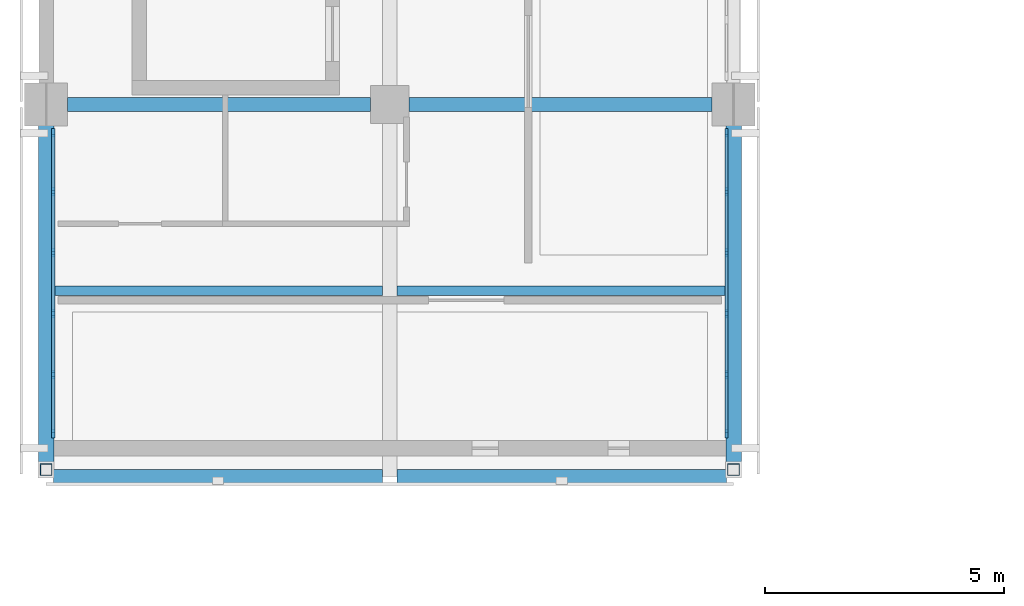
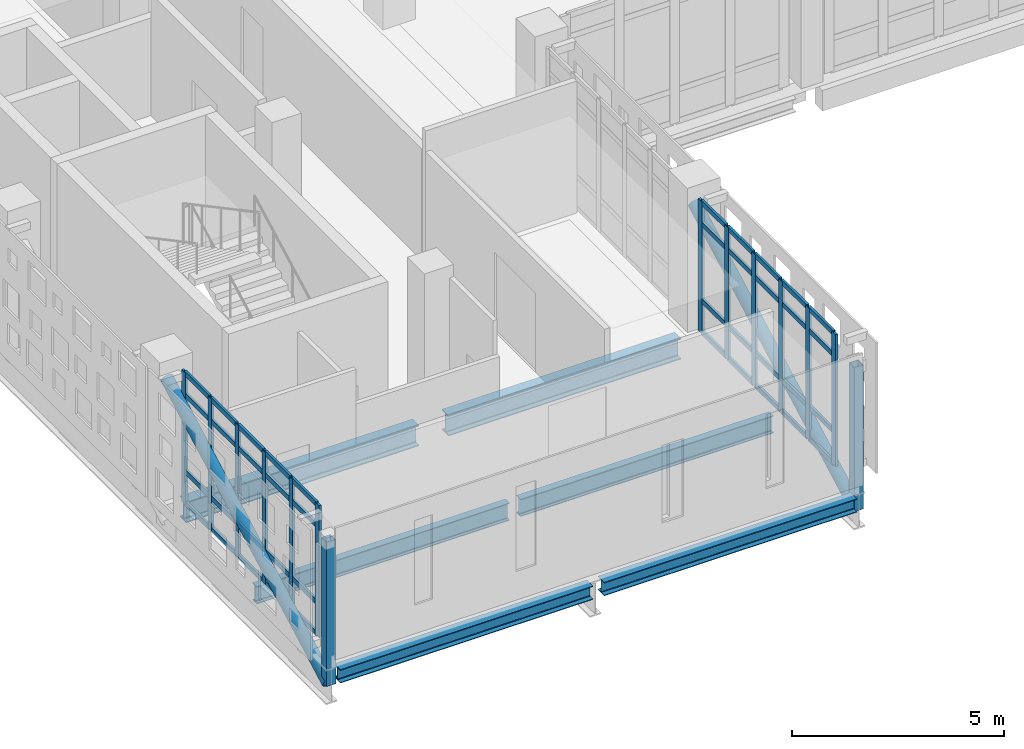
# One storey, part 7 of 62: 56 members, 6 beams, 2 elements without a shape of their own.
"""IFC4 building model written with IfcOpenShell, lengths in metres."""

from ifc_helpers import new_model, si_unit, direction, frame, origin, origin_2d, place, context, subcontext, project, spatial, rectangle, hollow_rectangle, hollow_circle, i_section, extrude, material, layer, layer_set, material_profile, profile_set, type_object, element, aggregate, save


model = new_model("IFC4")

# Units and contexts
model_context = context("Model", 3, precision=1e-05, world=origin(), true_north=direction((0.0, 1.0)))
body_context = subcontext(model_context, "Body", "Model", "MODEL_VIEW")
ifc_project = project(units=[si_unit("LENGTHUNIT", "METRE"), si_unit("AREAUNIT", "SQUARE_METRE"), si_unit("VOLUMEUNIT", "CUBIC_METRE"), si_unit("PLANEANGLEUNIT", "RADIAN"), si_unit("MASSUNIT", "GRAM", prefix="KILO")], contexts=[model_context])

# Site, building, storey
site_placement = place(None, origin())
site = spatial("IfcSite", under=ifc_project, at=site_placement, CompositionType="ELEMENT")
building_placement = place(site_placement, origin())
building = spatial("IfcBuilding", under=site, at=building_placement, Name="Valkovuoma Quantum and Materials Research Institute", CompositionType="ELEMENT")
storey_placement = place(building_placement, frame((0.0, 0.0, 13.1201171875)))
storey = spatial("IfcBuildingStorey", under=building, at=storey_placement, Name="L03", CompositionType="ELEMENT", Elevation=13.1201171875)

# Beams
ifc_material_1 = material(Name="Steel S355J2", Category="steel")
ifc_material_profile_1 = material_profile(ifc_material_1, i_section(OverallWidth=0.300048828125, OverallDepth=0.389892578125, WebThickness=0.010986328125, FlangeThickness=0.01904296875, FilletRadius=0.027099609375, at=origin_2d()), Name="Steel S355J2")
ifc_profile_set_1 = profile_set([ifc_material_profile_1], Name="Steel S355J2")
beam_type_1 = type_object("IfcBeamType", Name="Beam-B-HEA400", PredefinedType="SPANDREL", material=ifc_profile_set_1)
beam_1_placement = place(storey_placement, frame((0.14990234375, 21.0, -0.545166015625), z_axis=(1.0, 0.0, 0.0), x_axis=(0.0, 1.0, 0.0)))
element("IfcBeam", 1, at=beam_1_placement, inside=storey, type_object=beam_type_1, Name="L03 cantilever tip beam 1", PredefinedType="SPANDREL", context=body_context, shape_type="SweptSolid", body=[
    extrude(i_section(OverallWidth=0.300048828125, OverallDepth=0.389892578125, WebThickness=0.010986328125, FlangeThickness=0.01904296875, FilletRadius=0.027099609375, at=origin_2d()), origin(), (0.0, 0.0, 1.0), 6.900146484375),
])
beam_2_placement = place(storey_placement, frame((7.35009765625, 21.0, -0.545166015625), z_axis=(1.0, 0.0, 0.0), x_axis=(0.0, 1.0, 0.0)))
element("IfcBeam", 2, at=beam_2_placement, inside=storey, type_object=beam_type_1, Name="L03 cantilever tip beam 2", PredefinedType="SPANDREL", context=body_context, shape_type="SweptSolid", body=[
    extrude(i_section(OverallWidth=0.300048828125, OverallDepth=0.389892578125, WebThickness=0.010986328125, FlangeThickness=0.01904296875, FilletRadius=0.027099609375, at=origin_2d()), origin(), (0.0, 0.0, 1.0), 6.89990234375),
])
ifc_material_2 = material(Name="Steel S355J2", Category="steel")
ifc_material_profile_2 = material_profile(ifc_material_2, i_section(OverallWidth=0.300048828125, OverallDepth=0.60009765625, WebThickness=0.015380859375, FlangeThickness=0.030029296875, FilletRadius=0.027099609375, at=origin_2d()), Name="Steel S355J2")
ifc_profile_set_2 = profile_set([ifc_material_profile_2], Name="Steel S355J2")
beam_type_2 = type_object("IfcBeamType", Name="Beam-B-HEB600", PredefinedType="BEAM", material=ifc_profile_set_2)
beam_3_placement = place(storey_placement, frame((0.449951171875, 28.800048828125, -0.650146484375), z_axis=(1.0, 0.0, 0.0), x_axis=(0.0, 1.0, 0.0)))
element("IfcBeam", 3, at=beam_3_placement, inside=storey, type_object=beam_type_2, Name="L03 beam X-1424", PredefinedType="BEAM", context=body_context, shape_type="SweptSolid", body=[
    extrude(i_section(OverallWidth=0.300048828125, OverallDepth=0.60009765625, WebThickness=0.015380859375, FlangeThickness=0.030029296875, FilletRadius=0.027099609375, at=origin_2d()), origin(), (0.0, 0.0, 1.0), 6.35009765625),
])
beam_4_placement = place(storey_placement, frame((7.60009765625, 28.800048828125, -0.650146484375), z_axis=(1.0, 0.0, 0.0), x_axis=(0.0, 1.0, 0.0)))
element("IfcBeam", 4, at=beam_4_placement, inside=storey, type_object=beam_type_2, Name="L03 beam X-1425", PredefinedType="BEAM", context=body_context, shape_type="SweptSolid", body=[
    extrude(i_section(OverallWidth=0.300048828125, OverallDepth=0.60009765625, WebThickness=0.015380859375, FlangeThickness=0.030029296875, FilletRadius=0.027099609375, at=origin_2d()), origin(), (0.0, 0.0, 1.0), 6.349853515625),
])
ifc_material_3 = material(Name="Steel S355J2", Category="steel")
ifc_material_profile_3 = material_profile(ifc_material_3, i_section(OverallWidth=0.199951171875, OverallDepth=0.5, WebThickness=0.01025390625, FlangeThickness=0.01611328125, FilletRadius=0.02099609375, at=origin_2d()), Name="Steel S355J2")
ifc_profile_set_3 = profile_set([ifc_material_profile_3], Name="Steel S355J2")
beam_type_3 = type_object("IfcBeamType", Name="Beam-B-IPE500", PredefinedType="BEAM", material=ifc_profile_set_3)
beam_5_placement = place(storey_placement, frame((0.14990234375, 24.89990234375, -0.60009765625), z_axis=(1.0, 0.0, 0.0), x_axis=(0.0, 1.0, 0.0)))
element("IfcBeam", 5, at=beam_5_placement, inside=storey, type_object=beam_type_3, Name="L03 cantilever mid beam 1", PredefinedType="BEAM", context=body_context, shape_type="SweptSolid", body=[
    extrude(i_section(OverallWidth=0.199951171875, OverallDepth=0.5, WebThickness=0.01025390625, FlangeThickness=0.01611328125, FilletRadius=0.02099609375, at=origin_2d()), origin(), (0.0, 0.0, 1.0), 6.900146484375),
])
beam_6_placement = place(storey_placement, frame((7.35009765625, 24.89990234375, -0.60009765625), z_axis=(1.0, 0.0, 0.0), x_axis=(0.0, 1.0, 0.0)))
element("IfcBeam", 6, at=beam_6_placement, inside=storey, type_object=beam_type_3, Name="L03 cantilever mid beam 2", PredefinedType="BEAM", context=body_context, shape_type="SweptSolid", body=[
    extrude(i_section(OverallWidth=0.199951171875, OverallDepth=0.5, WebThickness=0.01025390625, FlangeThickness=0.01611328125, FilletRadius=0.02099609375, at=origin_2d()), origin(), (0.0, 0.0, 1.0), 6.89990234375),
])

# Curtain wall, members
ifc_material_4 = material(Name="Thermally broken aluminium and triple low-E glazing", Category="aluminium")
ifc_layer = layer(ifc_material_4, 0.219970703125)
ifc_layer_set = layer_set([ifc_layer], Name="Thermally broken aluminium and triple low-E glazing")
curtain_wall_type = type_object("IfcCurtainWallType", Name="CW-CW-01", PredefinedType="NOTDEFINED", material=ifc_layer_set)
curtain_wall_1_placement = place(storey_placement, origin())
curtain_wall_1 = element("IfcCurtainWall", 7, at=curtain_wall_1_placement, inside=storey, type_object=curtain_wall_type, Name="L03 curtain wall 028", PredefinedType="NOTDEFINED")
ifc_material_5 = material(Name="Anodised aluminium 6060-T66", Category="aluminium")
ifc_material_profile_4 = material_profile(ifc_material_5, rectangle(XDim=0.06494140625, YDim=0.179931640625, at=origin_2d()), Name="Anodised aluminium 6060-T66")
ifc_profile_set_4 = profile_set([ifc_material_profile_4], Name="Anodised aluminium 6060-T66")
member_type_1 = type_object("IfcMemberType", Name="CWMull-CWM-01", PredefinedType="MULLION", material=ifc_profile_set_4)
member_1_placement = place(storey_placement, frame((0.14990234375, 21.900390625, 0.0), z_axis=(0.0, 0.0, 1.0), x_axis=(-1.0, 0.0, 0.0)))
member_1 = element("IfcMember", 8, at=member_1_placement, type_object=member_type_1, Name="CW-01 mullion 1", PredefinedType="MULLION", context=body_context, shape_type="SweptSolid", body=[
    extrude(rectangle(XDim=0.06494140625, YDim=0.179931640625, at=origin_2d()), origin(), (0.0, 0.0, 1.0), 3.809814453125),
])
member_2_placement = place(storey_placement, frame((0.14990234375, 23.142822265625, 0.0), z_axis=(0.0, 0.0, 1.0), x_axis=(-1.0, 0.0, 0.0)))
member_2 = element("IfcMember", 9, at=member_2_placement, type_object=member_type_1, Name="CW-01 mullion 2", PredefinedType="MULLION", context=body_context, shape_type="SweptSolid", body=[
    extrude(rectangle(XDim=0.06494140625, YDim=0.179931640625, at=origin_2d()), origin(), (0.0, 0.0, 1.0), 3.809814453125),
])
member_3_placement = place(storey_placement, frame((0.14990234375, 24.41796875, 0.0), z_axis=(0.0, 0.0, 1.0), x_axis=(-1.0, 0.0, 0.0)))
member_3 = element("IfcMember", 10, at=member_3_placement, type_object=member_type_1, Name="CW-01 mullion 3", PredefinedType="MULLION", context=body_context, shape_type="SweptSolid", body=[
    extrude(rectangle(XDim=0.06494140625, YDim=0.179931640625, at=origin_2d()), origin(), (0.0, 0.0, 1.0), 3.809814453125),
])
member_4_placement = place(storey_placement, frame((0.14990234375, 25.69287109375, 0.0), z_axis=(0.0, 0.0, 1.0), x_axis=(-1.0, 0.0, 0.0)))
member_4 = element("IfcMember", 11, at=member_4_placement, type_object=member_type_1, Name="CW-01 mullion 4", PredefinedType="MULLION", context=body_context, shape_type="SweptSolid", body=[
    extrude(rectangle(XDim=0.06494140625, YDim=0.179931640625, at=origin_2d()), origin(), (0.0, 0.0, 1.0), 3.809814453125),
])
member_5_placement = place(storey_placement, frame((0.14990234375, 26.968017578125, 0.0), z_axis=(0.0, 0.0, 1.0), x_axis=(-1.0, 0.0, 0.0)))
member_5 = element("IfcMember", 12, at=member_5_placement, type_object=member_type_1, Name="CW-01 mullion 5", PredefinedType="MULLION", context=body_context, shape_type="SweptSolid", body=[
    extrude(rectangle(XDim=0.06494140625, YDim=0.179931640625, at=origin_2d()), origin(), (0.0, 0.0, 1.0), 3.809814453125),
])
member_6_placement = place(storey_placement, frame((0.14990234375, 28.21044921875, 0.0), z_axis=(0.0, 0.0, 1.0), x_axis=(-1.0, 0.0, 0.0)))
member_6 = element("IfcMember", 13, at=member_6_placement, type_object=member_type_1, Name="CW-01 mullion 6", PredefinedType="MULLION", context=body_context, shape_type="SweptSolid", body=[
    extrude(rectangle(XDim=0.06494140625, YDim=0.179931640625, at=origin_2d()), origin(), (0.0, 0.0, 1.0), 3.809814453125),
])

curtain_wall_2_placement = place(storey_placement, origin())
curtain_wall_2 = element("IfcCurtainWall", 14, at=curtain_wall_2_placement, inside=storey, type_object=curtain_wall_type, Name="L03 curtain wall 029", PredefinedType="NOTDEFINED")
member_7_placement = place(storey_placement, frame((14.25, 21.900390625, 0.0), z_axis=(0.0, 0.0, 1.0), x_axis=(-1.0, 0.0, 0.0)))
member_7 = element("IfcMember", 15, at=member_7_placement, type_object=member_type_1, Name="CW-01 mullion 1", PredefinedType="MULLION", context=body_context, shape_type="SweptSolid", body=[
    extrude(rectangle(XDim=0.06494140625, YDim=0.179931640625, at=origin_2d()), origin(), (0.0, 0.0, 1.0), 3.809814453125),
])
member_8_placement = place(storey_placement, frame((14.25, 23.142822265625, 0.0), z_axis=(0.0, 0.0, 1.0), x_axis=(-1.0, 0.0, 0.0)))
member_8 = element("IfcMember", 16, at=member_8_placement, type_object=member_type_1, Name="CW-01 mullion 2", PredefinedType="MULLION", context=body_context, shape_type="SweptSolid", body=[
    extrude(rectangle(XDim=0.06494140625, YDim=0.179931640625, at=origin_2d()), origin(), (0.0, 0.0, 1.0), 3.809814453125),
])
member_9_placement = place(storey_placement, frame((14.25, 24.41796875, 0.0), z_axis=(0.0, 0.0, 1.0), x_axis=(-1.0, 0.0, 0.0)))
member_9 = element("IfcMember", 17, at=member_9_placement, type_object=member_type_1, Name="CW-01 mullion 3", PredefinedType="MULLION", context=body_context, shape_type="SweptSolid", body=[
    extrude(rectangle(XDim=0.06494140625, YDim=0.179931640625, at=origin_2d()), origin(), (0.0, 0.0, 1.0), 3.809814453125),
])
member_10_placement = place(storey_placement, frame((14.25, 25.69287109375, 0.0), z_axis=(0.0, 0.0, 1.0), x_axis=(-1.0, 0.0, 0.0)))
member_10 = element("IfcMember", 18, at=member_10_placement, type_object=member_type_1, Name="CW-01 mullion 4", PredefinedType="MULLION", context=body_context, shape_type="SweptSolid", body=[
    extrude(rectangle(XDim=0.06494140625, YDim=0.179931640625, at=origin_2d()), origin(), (0.0, 0.0, 1.0), 3.809814453125),
])
member_11_placement = place(storey_placement, frame((14.25, 26.968017578125, 0.0), z_axis=(0.0, 0.0, 1.0), x_axis=(-1.0, 0.0, 0.0)))
member_11 = element("IfcMember", 19, at=member_11_placement, type_object=member_type_1, Name="CW-01 mullion 5", PredefinedType="MULLION", context=body_context, shape_type="SweptSolid", body=[
    extrude(rectangle(XDim=0.06494140625, YDim=0.179931640625, at=origin_2d()), origin(), (0.0, 0.0, 1.0), 3.809814453125),
])
member_12_placement = place(storey_placement, frame((14.25, 28.21044921875, 0.0), z_axis=(0.0, 0.0, 1.0), x_axis=(-1.0, 0.0, 0.0)))
member_12 = element("IfcMember", 20, at=member_12_placement, type_object=member_type_1, Name="CW-01 mullion 6", PredefinedType="MULLION", context=body_context, shape_type="SweptSolid", body=[
    extrude(rectangle(XDim=0.06494140625, YDim=0.179931640625, at=origin_2d()), origin(), (0.0, 0.0, 1.0), 3.809814453125),
])

# Member
ifc_material_6 = material(Name="Anodised aluminium 6060-T66", Category="aluminium")
ifc_material_profile_5 = material_profile(ifc_material_6, rectangle(XDim=0.06494140625, YDim=0.139892578125, at=origin_2d()), Name="Anodised aluminium 6060-T66")
ifc_profile_set_5 = profile_set([ifc_material_profile_5], Name="Anodised aluminium 6060-T66")
member_type_2 = type_object("IfcMemberType", Name="CWTran-CWT-01", PredefinedType="USERDEFINED", material=ifc_profile_set_5)
member_13_placement = place(storey_placement, frame((0.14990234375, 21.932861328125, 0.032470703125), z_axis=(0.0, 1.0, 0.0), x_axis=(-1.0, 0.0, 0.0)))
member_13 = element("IfcMember", 21, at=member_13_placement, type_object=member_type_2, Name="CW-01 transom 1.1", ObjectType="TRANSOM", PredefinedType="USERDEFINED", context=body_context, shape_type="SweptSolid", body=[
    extrude(rectangle(XDim=0.06494140625, YDim=0.139892578125, at=origin_2d()), origin(), (0.0, 0.0, 1.0), 1.177490234375),
])

member_14_placement = place(storey_placement, frame((0.14990234375, 21.932861328125, 0.949951171875), z_axis=(0.0, 1.0, 0.0), x_axis=(-1.0, 0.0, 0.0)))
member_14 = element("IfcMember", 22, at=member_14_placement, type_object=member_type_2, Name="CW-01 transom 1.2", ObjectType="TRANSOM", PredefinedType="USERDEFINED", context=body_context, shape_type="SweptSolid", body=[
    extrude(rectangle(XDim=0.06494140625, YDim=0.139892578125, at=origin_2d()), origin(), (0.0, 0.0, 1.0), 1.177490234375),
])

member_15_placement = place(storey_placement, frame((0.14990234375, 21.932861328125, 3.159912109375), z_axis=(0.0, 1.0, 0.0), x_axis=(-1.0, 0.0, 0.0)))
member_15 = element("IfcMember", 23, at=member_15_placement, type_object=member_type_2, Name="CW-01 transom 1.3", ObjectType="TRANSOM", PredefinedType="USERDEFINED", context=body_context, shape_type="SweptSolid", body=[
    extrude(rectangle(XDim=0.06494140625, YDim=0.139892578125, at=origin_2d()), origin(), (0.0, 0.0, 1.0), 1.177490234375),
])

member_16_placement = place(storey_placement, frame((0.14990234375, 21.932861328125, 3.77734375), z_axis=(0.0, 1.0, 0.0), x_axis=(-1.0, 0.0, 0.0)))
member_16 = element("IfcMember", 24, at=member_16_placement, type_object=member_type_2, Name="CW-01 transom 1.4", ObjectType="TRANSOM", PredefinedType="USERDEFINED", context=body_context, shape_type="SweptSolid", body=[
    extrude(rectangle(XDim=0.06494140625, YDim=0.139892578125, at=origin_2d()), origin(), (0.0, 0.0, 1.0), 1.177490234375),
])

member_17_placement = place(storey_placement, frame((0.14990234375, 23.17529296875, 0.032470703125), z_axis=(0.0, 1.0, 0.0), x_axis=(-1.0, 0.0, 0.0)))
member_17 = element("IfcMember", 25, at=member_17_placement, type_object=member_type_2, Name="CW-01 transom 2.1", ObjectType="TRANSOM", PredefinedType="USERDEFINED", context=body_context, shape_type="SweptSolid", body=[
    extrude(rectangle(XDim=0.06494140625, YDim=0.139892578125, at=origin_2d()), origin(), (0.0, 0.0, 1.0), 1.210205078125),
])

member_18_placement = place(storey_placement, frame((0.14990234375, 23.17529296875, 0.949951171875), z_axis=(0.0, 1.0, 0.0), x_axis=(-1.0, 0.0, 0.0)))
member_18 = element("IfcMember", 26, at=member_18_placement, type_object=member_type_2, Name="CW-01 transom 2.2", ObjectType="TRANSOM", PredefinedType="USERDEFINED", context=body_context, shape_type="SweptSolid", body=[
    extrude(rectangle(XDim=0.06494140625, YDim=0.139892578125, at=origin_2d()), origin(), (0.0, 0.0, 1.0), 1.210205078125),
])

member_19_placement = place(storey_placement, frame((0.14990234375, 23.17529296875, 3.159912109375), z_axis=(0.0, 1.0, 0.0), x_axis=(-1.0, 0.0, 0.0)))
member_19 = element("IfcMember", 27, at=member_19_placement, type_object=member_type_2, Name="CW-01 transom 2.3", ObjectType="TRANSOM", PredefinedType="USERDEFINED", context=body_context, shape_type="SweptSolid", body=[
    extrude(rectangle(XDim=0.06494140625, YDim=0.139892578125, at=origin_2d()), origin(), (0.0, 0.0, 1.0), 1.210205078125),
])

member_20_placement = place(storey_placement, frame((0.14990234375, 23.17529296875, 3.77734375), z_axis=(0.0, 1.0, 0.0), x_axis=(-1.0, 0.0, 0.0)))
member_20 = element("IfcMember", 28, at=member_20_placement, type_object=member_type_2, Name="CW-01 transom 2.4", ObjectType="TRANSOM", PredefinedType="USERDEFINED", context=body_context, shape_type="SweptSolid", body=[
    extrude(rectangle(XDim=0.06494140625, YDim=0.139892578125, at=origin_2d()), origin(), (0.0, 0.0, 1.0), 1.210205078125),
])

member_21_placement = place(storey_placement, frame((0.14990234375, 24.450439453125, 0.032470703125), z_axis=(0.0, 1.0, 0.0), x_axis=(-1.0, 0.0, 0.0)))
member_21 = element("IfcMember", 29, at=member_21_placement, type_object=member_type_2, Name="CW-01 transom 3.1", ObjectType="TRANSOM", PredefinedType="USERDEFINED", context=body_context, shape_type="SweptSolid", body=[
    extrude(rectangle(XDim=0.06494140625, YDim=0.139892578125, at=origin_2d()), origin(), (0.0, 0.0, 1.0), 1.2099609375),
])

member_22_placement = place(storey_placement, frame((0.14990234375, 24.450439453125, 0.949951171875), z_axis=(0.0, 1.0, 0.0), x_axis=(-1.0, 0.0, 0.0)))
member_22 = element("IfcMember", 30, at=member_22_placement, type_object=member_type_2, Name="CW-01 transom 3.2", ObjectType="TRANSOM", PredefinedType="USERDEFINED", context=body_context, shape_type="SweptSolid", body=[
    extrude(rectangle(XDim=0.06494140625, YDim=0.139892578125, at=origin_2d()), origin(), (0.0, 0.0, 1.0), 1.2099609375),
])

member_23_placement = place(storey_placement, frame((0.14990234375, 24.450439453125, 3.159912109375), z_axis=(0.0, 1.0, 0.0), x_axis=(-1.0, 0.0, 0.0)))
member_23 = element("IfcMember", 31, at=member_23_placement, type_object=member_type_2, Name="CW-01 transom 3.3", ObjectType="TRANSOM", PredefinedType="USERDEFINED", context=body_context, shape_type="SweptSolid", body=[
    extrude(rectangle(XDim=0.06494140625, YDim=0.139892578125, at=origin_2d()), origin(), (0.0, 0.0, 1.0), 1.2099609375),
])

member_24_placement = place(storey_placement, frame((0.14990234375, 24.450439453125, 3.77734375), z_axis=(0.0, 1.0, 0.0), x_axis=(-1.0, 0.0, 0.0)))
member_24 = element("IfcMember", 32, at=member_24_placement, type_object=member_type_2, Name="CW-01 transom 3.4", ObjectType="TRANSOM", PredefinedType="USERDEFINED", context=body_context, shape_type="SweptSolid", body=[
    extrude(rectangle(XDim=0.06494140625, YDim=0.139892578125, at=origin_2d()), origin(), (0.0, 0.0, 1.0), 1.2099609375),
])

member_25_placement = place(storey_placement, frame((0.14990234375, 25.725341796875, 0.032470703125), z_axis=(0.0, 1.0, 0.0), x_axis=(-1.0, 0.0, 0.0)))
member_25 = element("IfcMember", 33, at=member_25_placement, type_object=member_type_2, Name="CW-01 transom 4.1", ObjectType="TRANSOM", PredefinedType="USERDEFINED", context=body_context, shape_type="SweptSolid", body=[
    extrude(rectangle(XDim=0.06494140625, YDim=0.139892578125, at=origin_2d()), origin(), (0.0, 0.0, 1.0), 1.2099609375),
])

member_26_placement = place(storey_placement, frame((0.14990234375, 25.725341796875, 0.949951171875), z_axis=(0.0, 1.0, 0.0), x_axis=(-1.0, 0.0, 0.0)))
member_26 = element("IfcMember", 34, at=member_26_placement, type_object=member_type_2, Name="CW-01 transom 4.2", ObjectType="TRANSOM", PredefinedType="USERDEFINED", context=body_context, shape_type="SweptSolid", body=[
    extrude(rectangle(XDim=0.06494140625, YDim=0.139892578125, at=origin_2d()), origin(), (0.0, 0.0, 1.0), 1.2099609375),
])

member_27_placement = place(storey_placement, frame((0.14990234375, 25.725341796875, 3.159912109375), z_axis=(0.0, 1.0, 0.0), x_axis=(-1.0, 0.0, 0.0)))
member_27 = element("IfcMember", 35, at=member_27_placement, type_object=member_type_2, Name="CW-01 transom 4.3", ObjectType="TRANSOM", PredefinedType="USERDEFINED", context=body_context, shape_type="SweptSolid", body=[
    extrude(rectangle(XDim=0.06494140625, YDim=0.139892578125, at=origin_2d()), origin(), (0.0, 0.0, 1.0), 1.2099609375),
])

member_28_placement = place(storey_placement, frame((0.14990234375, 25.725341796875, 3.77734375), z_axis=(0.0, 1.0, 0.0), x_axis=(-1.0, 0.0, 0.0)))
member_28 = element("IfcMember", 36, at=member_28_placement, type_object=member_type_2, Name="CW-01 transom 4.4", ObjectType="TRANSOM", PredefinedType="USERDEFINED", context=body_context, shape_type="SweptSolid", body=[
    extrude(rectangle(XDim=0.06494140625, YDim=0.139892578125, at=origin_2d()), origin(), (0.0, 0.0, 1.0), 1.2099609375),
])

member_29_placement = place(storey_placement, frame((0.14990234375, 27.00048828125, 0.032470703125), z_axis=(0.0, 1.0, 0.0), x_axis=(-1.0, 0.0, 0.0)))
member_29 = element("IfcMember", 37, at=member_29_placement, type_object=member_type_2, Name="CW-01 transom 5.1", ObjectType="TRANSOM", PredefinedType="USERDEFINED", context=body_context, shape_type="SweptSolid", body=[
    extrude(rectangle(XDim=0.06494140625, YDim=0.139892578125, at=origin_2d()), origin(), (0.0, 0.0, 1.0), 1.177490234375),
])

member_30_placement = place(storey_placement, frame((0.14990234375, 27.00048828125, 0.949951171875), z_axis=(0.0, 1.0, 0.0), x_axis=(-1.0, 0.0, 0.0)))
member_30 = element("IfcMember", 38, at=member_30_placement, type_object=member_type_2, Name="CW-01 transom 5.2", ObjectType="TRANSOM", PredefinedType="USERDEFINED", context=body_context, shape_type="SweptSolid", body=[
    extrude(rectangle(XDim=0.06494140625, YDim=0.139892578125, at=origin_2d()), origin(), (0.0, 0.0, 1.0), 1.177490234375),
])

member_31_placement = place(storey_placement, frame((0.14990234375, 27.00048828125, 3.159912109375), z_axis=(0.0, 1.0, 0.0), x_axis=(-1.0, 0.0, 0.0)))
member_31 = element("IfcMember", 39, at=member_31_placement, type_object=member_type_2, Name="CW-01 transom 5.3", ObjectType="TRANSOM", PredefinedType="USERDEFINED", context=body_context, shape_type="SweptSolid", body=[
    extrude(rectangle(XDim=0.06494140625, YDim=0.139892578125, at=origin_2d()), origin(), (0.0, 0.0, 1.0), 1.177490234375),
])

member_32_placement = place(storey_placement, frame((0.14990234375, 27.00048828125, 3.77734375), z_axis=(0.0, 1.0, 0.0), x_axis=(-1.0, 0.0, 0.0)))
member_32 = element("IfcMember", 40, at=member_32_placement, type_object=member_type_2, Name="CW-01 transom 5.4", ObjectType="TRANSOM", PredefinedType="USERDEFINED", context=body_context, shape_type="SweptSolid", body=[
    extrude(rectangle(XDim=0.06494140625, YDim=0.139892578125, at=origin_2d()), origin(), (0.0, 0.0, 1.0), 1.177490234375),
])

aggregate(curtain_wall_1, [member_1, member_2, member_3, member_4, member_5, member_6, member_13, member_14, member_15, member_16, member_17, member_18, member_19, member_20, member_21, member_22, member_23, member_24, member_25, member_26, member_27, member_28, member_29, member_30, member_31, member_32])

member_33_placement = place(storey_placement, frame((14.25, 21.932861328125, 0.032470703125), z_axis=(0.0, 1.0, 0.0), x_axis=(-1.0, 0.0, 0.0)))
member_33 = element("IfcMember", 41, at=member_33_placement, type_object=member_type_2, Name="CW-01 transom 1.1", ObjectType="TRANSOM", PredefinedType="USERDEFINED", context=body_context, shape_type="SweptSolid", body=[
    extrude(rectangle(XDim=0.06494140625, YDim=0.139892578125, at=origin_2d()), origin(), (0.0, 0.0, 1.0), 1.177490234375),
])

member_34_placement = place(storey_placement, frame((14.25, 21.932861328125, 0.949951171875), z_axis=(0.0, 1.0, 0.0), x_axis=(-1.0, 0.0, 0.0)))
member_34 = element("IfcMember", 42, at=member_34_placement, type_object=member_type_2, Name="CW-01 transom 1.2", ObjectType="TRANSOM", PredefinedType="USERDEFINED", context=body_context, shape_type="SweptSolid", body=[
    extrude(rectangle(XDim=0.06494140625, YDim=0.139892578125, at=origin_2d()), origin(), (0.0, 0.0, 1.0), 1.177490234375),
])

member_35_placement = place(storey_placement, frame((14.25, 21.932861328125, 3.159912109375), z_axis=(0.0, 1.0, 0.0), x_axis=(-1.0, 0.0, 0.0)))
member_35 = element("IfcMember", 43, at=member_35_placement, type_object=member_type_2, Name="CW-01 transom 1.3", ObjectType="TRANSOM", PredefinedType="USERDEFINED", context=body_context, shape_type="SweptSolid", body=[
    extrude(rectangle(XDim=0.06494140625, YDim=0.139892578125, at=origin_2d()), origin(), (0.0, 0.0, 1.0), 1.177490234375),
])

member_36_placement = place(storey_placement, frame((14.25, 21.932861328125, 3.77734375), z_axis=(0.0, 1.0, 0.0), x_axis=(-1.0, 0.0, 0.0)))
member_36 = element("IfcMember", 44, at=member_36_placement, type_object=member_type_2, Name="CW-01 transom 1.4", ObjectType="TRANSOM", PredefinedType="USERDEFINED", context=body_context, shape_type="SweptSolid", body=[
    extrude(rectangle(XDim=0.06494140625, YDim=0.139892578125, at=origin_2d()), origin(), (0.0, 0.0, 1.0), 1.177490234375),
])

member_37_placement = place(storey_placement, frame((14.25, 23.17529296875, 0.032470703125), z_axis=(0.0, 1.0, 0.0), x_axis=(-1.0, 0.0, 0.0)))
member_37 = element("IfcMember", 45, at=member_37_placement, type_object=member_type_2, Name="CW-01 transom 2.1", ObjectType="TRANSOM", PredefinedType="USERDEFINED", context=body_context, shape_type="SweptSolid", body=[
    extrude(rectangle(XDim=0.06494140625, YDim=0.139892578125, at=origin_2d()), origin(), (0.0, 0.0, 1.0), 1.210205078125),
])

member_38_placement = place(storey_placement, frame((14.25, 23.17529296875, 0.949951171875), z_axis=(0.0, 1.0, 0.0), x_axis=(-1.0, 0.0, 0.0)))
member_38 = element("IfcMember", 46, at=member_38_placement, type_object=member_type_2, Name="CW-01 transom 2.2", ObjectType="TRANSOM", PredefinedType="USERDEFINED", context=body_context, shape_type="SweptSolid", body=[
    extrude(rectangle(XDim=0.06494140625, YDim=0.139892578125, at=origin_2d()), origin(), (0.0, 0.0, 1.0), 1.210205078125),
])

member_39_placement = place(storey_placement, frame((14.25, 23.17529296875, 3.159912109375), z_axis=(0.0, 1.0, 0.0), x_axis=(-1.0, 0.0, 0.0)))
member_39 = element("IfcMember", 47, at=member_39_placement, type_object=member_type_2, Name="CW-01 transom 2.3", ObjectType="TRANSOM", PredefinedType="USERDEFINED", context=body_context, shape_type="SweptSolid", body=[
    extrude(rectangle(XDim=0.06494140625, YDim=0.139892578125, at=origin_2d()), origin(), (0.0, 0.0, 1.0), 1.210205078125),
])

member_40_placement = place(storey_placement, frame((14.25, 23.17529296875, 3.77734375), z_axis=(0.0, 1.0, 0.0), x_axis=(-1.0, 0.0, 0.0)))
member_40 = element("IfcMember", 48, at=member_40_placement, type_object=member_type_2, Name="CW-01 transom 2.4", ObjectType="TRANSOM", PredefinedType="USERDEFINED", context=body_context, shape_type="SweptSolid", body=[
    extrude(rectangle(XDim=0.06494140625, YDim=0.139892578125, at=origin_2d()), origin(), (0.0, 0.0, 1.0), 1.210205078125),
])

member_41_placement = place(storey_placement, frame((14.25, 24.450439453125, 0.032470703125), z_axis=(0.0, 1.0, 0.0), x_axis=(-1.0, 0.0, 0.0)))
member_41 = element("IfcMember", 49, at=member_41_placement, type_object=member_type_2, Name="CW-01 transom 3.1", ObjectType="TRANSOM", PredefinedType="USERDEFINED", context=body_context, shape_type="SweptSolid", body=[
    extrude(rectangle(XDim=0.06494140625, YDim=0.139892578125, at=origin_2d()), origin(), (0.0, 0.0, 1.0), 1.2099609375),
])

member_42_placement = place(storey_placement, frame((14.25, 24.450439453125, 0.949951171875), z_axis=(0.0, 1.0, 0.0), x_axis=(-1.0, 0.0, 0.0)))
member_42 = element("IfcMember", 50, at=member_42_placement, type_object=member_type_2, Name="CW-01 transom 3.2", ObjectType="TRANSOM", PredefinedType="USERDEFINED", context=body_context, shape_type="SweptSolid", body=[
    extrude(rectangle(XDim=0.06494140625, YDim=0.139892578125, at=origin_2d()), origin(), (0.0, 0.0, 1.0), 1.2099609375),
])

member_43_placement = place(storey_placement, frame((14.25, 24.450439453125, 3.159912109375), z_axis=(0.0, 1.0, 0.0), x_axis=(-1.0, 0.0, 0.0)))
member_43 = element("IfcMember", 51, at=member_43_placement, type_object=member_type_2, Name="CW-01 transom 3.3", ObjectType="TRANSOM", PredefinedType="USERDEFINED", context=body_context, shape_type="SweptSolid", body=[
    extrude(rectangle(XDim=0.06494140625, YDim=0.139892578125, at=origin_2d()), origin(), (0.0, 0.0, 1.0), 1.2099609375),
])

member_44_placement = place(storey_placement, frame((14.25, 24.450439453125, 3.77734375), z_axis=(0.0, 1.0, 0.0), x_axis=(-1.0, 0.0, 0.0)))
member_44 = element("IfcMember", 52, at=member_44_placement, type_object=member_type_2, Name="CW-01 transom 3.4", ObjectType="TRANSOM", PredefinedType="USERDEFINED", context=body_context, shape_type="SweptSolid", body=[
    extrude(rectangle(XDim=0.06494140625, YDim=0.139892578125, at=origin_2d()), origin(), (0.0, 0.0, 1.0), 1.2099609375),
])

member_45_placement = place(storey_placement, frame((14.25, 25.725341796875, 0.032470703125), z_axis=(0.0, 1.0, 0.0), x_axis=(-1.0, 0.0, 0.0)))
member_45 = element("IfcMember", 53, at=member_45_placement, type_object=member_type_2, Name="CW-01 transom 4.1", ObjectType="TRANSOM", PredefinedType="USERDEFINED", context=body_context, shape_type="SweptSolid", body=[
    extrude(rectangle(XDim=0.06494140625, YDim=0.139892578125, at=origin_2d()), origin(), (0.0, 0.0, 1.0), 1.2099609375),
])

member_46_placement = place(storey_placement, frame((14.25, 25.725341796875, 0.949951171875), z_axis=(0.0, 1.0, 0.0), x_axis=(-1.0, 0.0, 0.0)))
member_46 = element("IfcMember", 54, at=member_46_placement, type_object=member_type_2, Name="CW-01 transom 4.2", ObjectType="TRANSOM", PredefinedType="USERDEFINED", context=body_context, shape_type="SweptSolid", body=[
    extrude(rectangle(XDim=0.06494140625, YDim=0.139892578125, at=origin_2d()), origin(), (0.0, 0.0, 1.0), 1.2099609375),
])

member_47_placement = place(storey_placement, frame((14.25, 25.725341796875, 3.159912109375), z_axis=(0.0, 1.0, 0.0), x_axis=(-1.0, 0.0, 0.0)))
member_47 = element("IfcMember", 55, at=member_47_placement, type_object=member_type_2, Name="CW-01 transom 4.3", ObjectType="TRANSOM", PredefinedType="USERDEFINED", context=body_context, shape_type="SweptSolid", body=[
    extrude(rectangle(XDim=0.06494140625, YDim=0.139892578125, at=origin_2d()), origin(), (0.0, 0.0, 1.0), 1.2099609375),
])

member_48_placement = place(storey_placement, frame((14.25, 25.725341796875, 3.77734375), z_axis=(0.0, 1.0, 0.0), x_axis=(-1.0, 0.0, 0.0)))
member_48 = element("IfcMember", 56, at=member_48_placement, type_object=member_type_2, Name="CW-01 transom 4.4", ObjectType="TRANSOM", PredefinedType="USERDEFINED", context=body_context, shape_type="SweptSolid", body=[
    extrude(rectangle(XDim=0.06494140625, YDim=0.139892578125, at=origin_2d()), origin(), (0.0, 0.0, 1.0), 1.2099609375),
])

member_49_placement = place(storey_placement, frame((14.25, 27.00048828125, 0.032470703125), z_axis=(0.0, 1.0, 0.0), x_axis=(-1.0, 0.0, 0.0)))
member_49 = element("IfcMember", 57, at=member_49_placement, type_object=member_type_2, Name="CW-01 transom 5.1", ObjectType="TRANSOM", PredefinedType="USERDEFINED", context=body_context, shape_type="SweptSolid", body=[
    extrude(rectangle(XDim=0.06494140625, YDim=0.139892578125, at=origin_2d()), origin(), (0.0, 0.0, 1.0), 1.177490234375),
])

member_50_placement = place(storey_placement, frame((14.25, 27.00048828125, 0.949951171875), z_axis=(0.0, 1.0, 0.0), x_axis=(-1.0, 0.0, 0.0)))
member_50 = element("IfcMember", 58, at=member_50_placement, type_object=member_type_2, Name="CW-01 transom 5.2", ObjectType="TRANSOM", PredefinedType="USERDEFINED", context=body_context, shape_type="SweptSolid", body=[
    extrude(rectangle(XDim=0.06494140625, YDim=0.139892578125, at=origin_2d()), origin(), (0.0, 0.0, 1.0), 1.177490234375),
])

member_51_placement = place(storey_placement, frame((14.25, 27.00048828125, 3.159912109375), z_axis=(0.0, 1.0, 0.0), x_axis=(-1.0, 0.0, 0.0)))
member_51 = element("IfcMember", 59, at=member_51_placement, type_object=member_type_2, Name="CW-01 transom 5.3", ObjectType="TRANSOM", PredefinedType="USERDEFINED", context=body_context, shape_type="SweptSolid", body=[
    extrude(rectangle(XDim=0.06494140625, YDim=0.139892578125, at=origin_2d()), origin(), (0.0, 0.0, 1.0), 1.177490234375),
])

member_52_placement = place(storey_placement, frame((14.25, 27.00048828125, 3.77734375), z_axis=(0.0, 1.0, 0.0), x_axis=(-1.0, 0.0, 0.0)))
member_52 = element("IfcMember", 60, at=member_52_placement, type_object=member_type_2, Name="CW-01 transom 5.4", ObjectType="TRANSOM", PredefinedType="USERDEFINED", context=body_context, shape_type="SweptSolid", body=[
    extrude(rectangle(XDim=0.06494140625, YDim=0.139892578125, at=origin_2d()), origin(), (0.0, 0.0, 1.0), 1.177490234375),
])

aggregate(curtain_wall_2, [member_7, member_8, member_9, member_10, member_11, member_12, member_33, member_34, member_35, member_36, member_37, member_38, member_39, member_40, member_41, member_42, member_43, member_44, member_45, member_46, member_47, member_48, member_49, member_50, member_51, member_52])

# Members
ifc_material_7 = material(Name="Steel S355J2H", Category="steel")
ifc_material_profile_6 = material_profile(ifc_material_7, hollow_circle(Radius=0.161865234375, WallThickness=0.01611328125, at=origin_2d()), Name="Steel S355J2H")
ifc_profile_set_6 = profile_set([ifc_material_profile_6], Name="Steel S355J2H")
member_type_3 = type_object("IfcMemberType", Name="Mem-M-BRC324", PredefinedType="BRACE", material=ifc_profile_set_6)
for number, where, z_axis, x_axis, name in (
    (61, (0.0, 21.14990234375, -0.85009765625), (0.0, 0.878517344003, 0.477710452352), (-1.0, 0.0, 0.0), "L03 cantilever overhang diagonal 0"),
    (62, (14.39990234375, 21.14990234375, -0.85009765625), (0.0, 0.878517344003, 0.477710452352), (-1.0, 0.0, 0.0), "L03 cantilever overhang diagonal 1"),
):
    element("IfcMember", number, at=place(storey_placement, frame(where, z_axis=z_axis, x_axis=x_axis)), inside=storey, type_object=member_type_3, Name=name, PredefinedType="BRACE", context=body_context, shape_type="SweptSolid", body=[
        extrude(hollow_circle(Radius=0.161865234375, WallThickness=0.01611328125, at=origin_2d()), origin(), (0.0, 0.0, 1.0), 8.7080078125),
    ])
ifc_material_8 = material(Name="Steel S355J2H", Category="steel")
ifc_material_profile_7 = material_profile(ifc_material_8, hollow_rectangle(XDim=0.25, YDim=0.25, WallThickness=0.012451171875, at=origin_2d()), Name="Steel S355J2H")
ifc_profile_set_7 = profile_set([ifc_material_profile_7], Name="Steel S355J2H")
member_type_4 = type_object("IfcMemberType", Name="Mem-M-STR250", PredefinedType="STRUT", material=ifc_profile_set_7)
for number, where, z_axis, x_axis, name in (
    (63, (0.0, 21.14990234375, -0.85009765625), (0.0, 0.0, 1.0), (1.0, 0.0, 0.0), "L03 cantilever tip strut 0"),
    (64, (14.39990234375, 21.14990234375, -0.85009765625), (0.0, 0.0, 1.0), (1.0, 0.0, 0.0), "L03 cantilever tip strut 1"),
):
    element("IfcMember", number, at=place(storey_placement, frame(where, z_axis=z_axis, x_axis=x_axis)), inside=storey, type_object=member_type_4, Name=name, PredefinedType="STRUT", context=body_context, shape_type="SweptSolid", body=[
        extrude(hollow_rectangle(XDim=0.25, YDim=0.25, WallThickness=0.012451171875, at=origin_2d()), origin(), (0.0, 0.0, 1.0), 4.159912109375),
    ])

save(model, "model.ifc")
